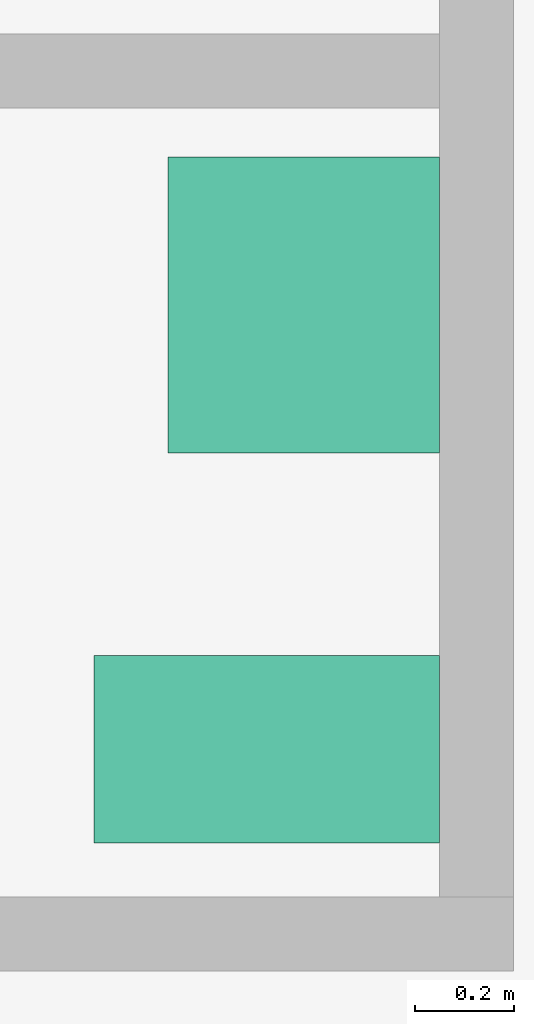
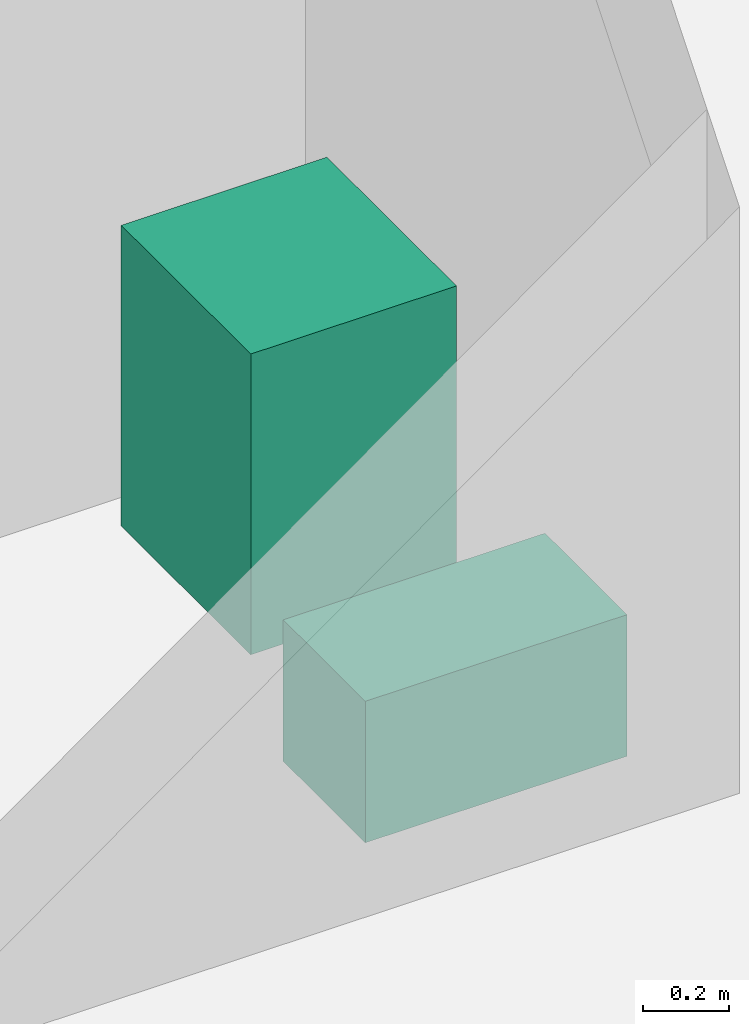
# One storey, part 13 of 13: 2 sanitary terminals.
"""IFC4 building model written with IfcOpenShell, lengths in metres."""

from ifc_helpers import new_model, si_unit, direction, frame, origin, origin_2d, place, context, subcontext, project, spatial, rectangle, extrude, material, element, save


model = new_model("IFC4")

# Units and contexts
model_context = context("Model", 3, precision=1e-05, world=origin(), true_north=direction((0.0, 1.0)))
body_context = subcontext(model_context, "Body", "Model", "MODEL_VIEW")
ifc_project = project(units=[si_unit("LENGTHUNIT", "METRE"), si_unit("AREAUNIT", "SQUARE_METRE"), si_unit("VOLUMEUNIT", "CUBIC_METRE"), si_unit("PLANEANGLEUNIT", "RADIAN"), si_unit("MASSUNIT", "GRAM", prefix="KILO")], contexts=[model_context])

# Site, building, storey
site_placement = place(None, origin())
site = spatial("IfcSite", under=ifc_project, at=site_placement, CompositionType="ELEMENT")
building_placement = place(site_placement, origin())
building = spatial("IfcBuilding", under=site, at=building_placement, Name="Kopane Lantern Tower", CompositionType="ELEMENT")
storey_placement = place(building_placement, frame((0.0, 0.0, 67.0)))
storey = spatial("IfcBuildingStorey", under=building, at=storey_placement, Name="L16", CompositionType="ELEMENT", Elevation=67.0)

# Sanitary terminals
ifc_material = material(Name="Vitreous china")
sanitary_terminal_1_placement = place(storey_placement, frame((34.550048828125, 28.35009765625, 0.0), z_axis=(0.0, 0.0, 1.0), x_axis=(1.0, 0.0, 0.0)))
element("IfcSanitaryTerminal", 1, at=sanitary_terminal_1_placement, inside=storey, material=ifc_material, Name="WC pan L16", PredefinedType="TOILETPAN", context=body_context, shape_type="SweptSolid", body=[
    extrude(rectangle(XDim=0.699951171875, YDim=0.3798828125, at=origin_2d()), origin(), (0.0, 0.0, 1.0), 0.39990234375),
])
sanitary_terminal_2_placement = place(storey_placement, frame((34.625, 29.25, 0.0), z_axis=(0.0, 0.0, 1.0), x_axis=(1.0, 0.0, 0.0)))
element("IfcSanitaryTerminal", 2, at=sanitary_terminal_2_placement, inside=storey, material=ifc_material, Name="Wash basin L16", PredefinedType="WASHHANDBASIN", context=body_context, shape_type="SweptSolid", body=[
    extrude(rectangle(XDim=0.550048828125, YDim=0.60009765625, at=origin_2d()), origin(), (0.0, 0.0, 1.0), 0.85009765625),
])

save(model, "model.ifc")
